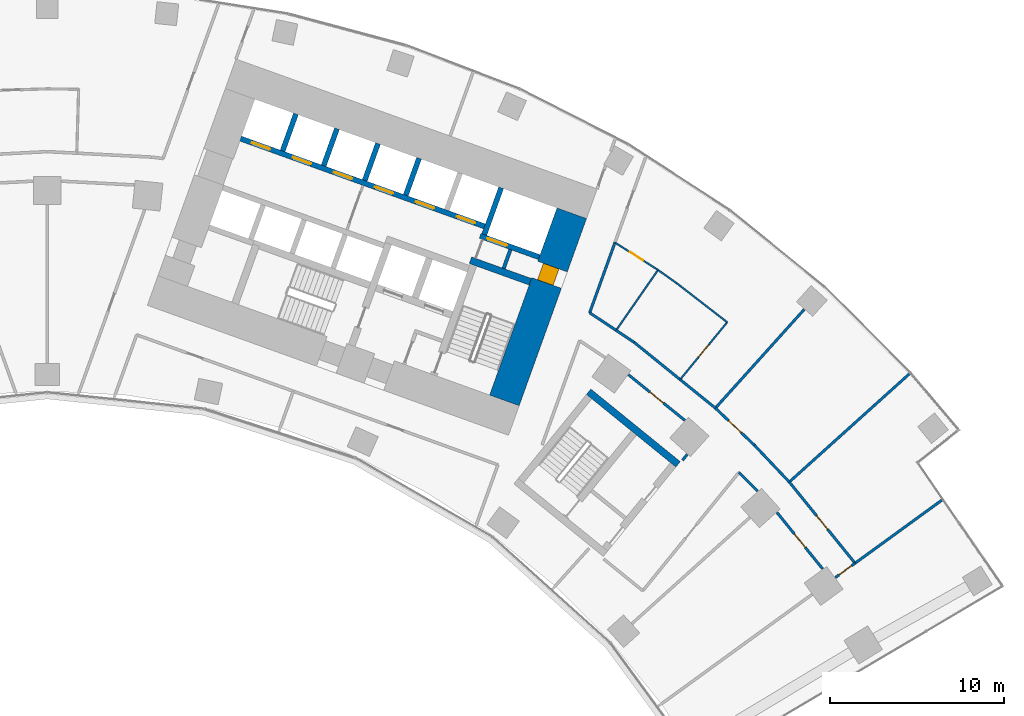
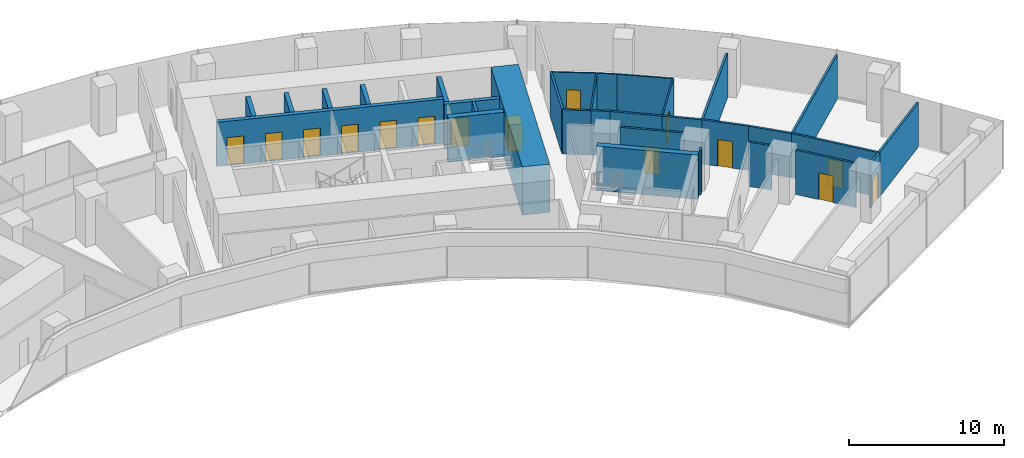
# One storey, part 18 of 21: 32 walls, 15 doors, 15 openings.
"""IFC4 building model written with IfcOpenShell, lengths in metres."""

from ifc_helpers import new_model, si_unit, direction, frame, frame_2d, origin, place, context, subcontext, project, spatial, rectangle, extrude, material, layer, layer_set, type_object, element, fill, save


model = new_model("IFC4")

# Units and contexts
model_context = context("Model", 3, precision=1e-05, world=origin(), true_north=direction((0.0, 1.0)))
body_context = subcontext(model_context, "Body", "Model", "MODEL_VIEW")
ifc_project = project(units=[si_unit("LENGTHUNIT", "METRE"), si_unit("AREAUNIT", "SQUARE_METRE"), si_unit("VOLUMEUNIT", "CUBIC_METRE"), si_unit("PLANEANGLEUNIT", "RADIAN"), si_unit("MASSUNIT", "GRAM", prefix="KILO")], contexts=[model_context])

# Site, building, storey
site_placement = place(None, origin())
site = spatial("IfcSite", under=ifc_project, at=site_placement, CompositionType="ELEMENT")
building_placement = place(site_placement, origin())
building = spatial("IfcBuilding", under=site, at=building_placement, Name="Stone Belt Terrace Tower", CompositionType="ELEMENT")
storey_placement = place(building_placement, frame((0.0, 0.0, 37.60009765625)))
storey = spatial("IfcBuildingStorey", under=building, at=storey_placement, Name="L08", CompositionType="ELEMENT", Elevation=37.60009765625)

# Wall, opening, door
ifc_material_1 = material(Name="Concrete B80", Category="concrete")
ifc_layer_1 = layer(ifc_material_1, 1.800048828125)
ifc_layer_set_1 = layer_set([ifc_layer_1], Name="Core wall 1800 B80")
wall_type_1 = type_object("IfcWallType", Name="Core wall 1800 B80", PredefinedType="SHEAR", material=ifc_layer_set_1)
wall_1_placement = place(storey_placement, frame((26.197509765625, 42.96728515625, 0.0), z_axis=(0.0, 0.0, 1.0), x_axis=(0.338625431531, 0.940921259788, 0.0)))
wall_1 = element("IfcWall", 1, at=wall_1_placement, inside=storey, type_object=wall_type_1, Name="Core B wall end_b L08", PredefinedType="SHEAR", context=body_context, shape_type="SweptSolid", body=[
    extrude(rectangle(XDim=11.400146484375, YDim=1.800048828125, at=frame_2d((5.7001953125, 0.0))), origin(), (0.0, 0.0, 1.0), 3.7998046875),
])
opening_1_placement = place(wall_1_placement, frame((7.150146484375, 0.0, 0.0)))
opening_1 = element("IfcOpeningElement", 2, at=opening_1_placement, cuts=wall_1, Name="Opening L08-C11", PredefinedType="OPENING", context=body_context, shape_type="SweptSolid", body=[
    extrude(rectangle(XDim=1.0, YDim=2.10009765625, at=frame_2d((0.5, 1.050048828125))), frame((0.0, 0.909912109375, 0.0), z_axis=(0.0, -1.0, 0.0), x_axis=(1.0, 0.0, 0.0)), (0.0, 0.0, 1.0), 1.820068359375),
])
ifc_material_2 = material(Name="Timber door leaf", Category="wood")
door_type_1 = type_object("IfcDoorType", Name="Core room door 1000", OperationType="SINGLE_SWING_LEFT", PredefinedType="DOOR", material=ifc_material_2)
door_1_placement = place(opening_1_placement, origin())
door_1 = element("IfcDoor", 3, at=door_1_placement, inside=storey, type_object=door_type_1, Name="Door to Telecommunications riser room core B", OperationType="SINGLE_SWING_LEFT", OverallHeight=2.10009765625, OverallWidth=1.0, PredefinedType="DOOR", context=body_context, shape_type="SweptSolid", body=[
    extrude(rectangle(XDim=1.0, YDim=2.10009765625, at=frame_2d((0.5, 1.050048828125))), frame((0.0, 0.55517578125, 0.0), z_axis=(0.0, -1.0, 0.0), x_axis=(1.0, 0.0, 0.0)), (0.0, 0.0, 1.0), 0.949951171875),
])
fill(opening_1, door_1)

ifc_layer_2 = layer(ifc_material_1, 0.300048828125)
ifc_layer_set_2 = layer_set([ifc_layer_2], Name="Lift shaft wall 300")
wall_type_2 = type_object("IfcWallType", Name="Lift shaft wall 300", PredefinedType="SHEAR", material=ifc_layer_set_2)
wall_2_placement = place(storey_placement, frame((28.195068359375, 51.17578125, 0.0), z_axis=(0.0, 0.0, 1.0), x_axis=(-0.940901243567, 0.338681044427, 0.0)))
wall_2 = element("IfcWall", 4, at=wall_2_placement, inside=storey, type_object=wall_type_2, Name="Core B wall", PredefinedType="SHEAR", context=body_context, shape_type="SweptSolid", body=[
    extrude(rectangle(XDim=3.599853515625, YDim=0.300048828125, at=frame_2d((1.7998046875, 0.0))), origin(), (0.0, 0.0, 1.0), 3.47998046875),
])
opening_2_placement = place(wall_2_placement, frame((1.969970703125, 0.0, 0.0)))
opening_2 = element("IfcOpeningElement", 5, at=opening_2_placement, cuts=wall_2, Name="Opening L08-LD18", PredefinedType="OPENING", context=body_context, shape_type="SweptSolid", body=[
    extrude(rectangle(XDim=1.199951171875, YDim=2.199951171875, at=frame_2d((0.60009765625, 1.10009765625))), frame((0.0, 0.159912109375, 0.0), z_axis=(0.0, -1.0, 0.0), x_axis=(1.0, 0.0, 0.0)), (0.0, 0.0, 1.0), 0.320068359375),
])
ifc_material_3 = material(Name="Stainless steel door leaf", Category="steel")
door_type_2 = type_object("IfcDoorType", Name="Landing door 1200", OperationType="SLIDING_TO_LEFT", PredefinedType="DOOR", material=ifc_material_3)
door_2_placement = place(opening_2_placement, origin())
door_2 = element("IfcDoor", 6, at=door_2_placement, inside=storey, type_object=door_type_2, Name="Landing door SV1 core B", OperationType="SLIDING_TO_LEFT", OverallHeight=2.199951171875, OverallWidth=1.199951171875, PredefinedType="DOOR", context=body_context, shape_type="SweptSolid", body=[
    extrude(rectangle(XDim=1.199951171875, YDim=2.199951171875, at=frame_2d((0.60009765625, 1.10009765625))), frame((0.0, 0.02490234375, 0.0), z_axis=(0.0, -1.0, 0.0), x_axis=(1.0, 0.0, 0.0)), (0.0, 0.0, 1.0), 0.050048828125),
])
fill(opening_2, door_2)

# Wall
wall_3_placement = place(storey_placement, frame((25.046875, 52.46826171875, 0.0), z_axis=(0.0, 0.0, 1.0), x_axis=(0.338549588058, 0.940948551423, 0.0)))
element("IfcWall", 7, at=wall_3_placement, inside=storey, type_object=wall_type_2, Name="Core B wall", PredefinedType="SHEAR", context=body_context, shape_type="SweptSolid", body=[
    extrude(rectangle(XDim=2.849853515625, YDim=0.300048828125, at=frame_2d((1.4248046875, 0.0))), origin(), (0.0, 0.0, 1.0), 3.47998046875),
])

# Wall, openings, doors
wall_4_placement = place(storey_placement, frame((25.05810546875, 52.9423828125, 0.0), z_axis=(0.0, 0.0, 1.0), x_axis=(-0.940918215764, 0.338633889685, 0.0)))
wall_4 = element("IfcWall", 8, at=wall_4_placement, inside=storey, type_object=wall_type_2, Name="Core B wall", PredefinedType="SHEAR", context=body_context, shape_type="SweptSolid", body=[
    extrude(rectangle(XDim=14.850341796875, YDim=0.300048828125, at=frame_2d((7.42529296875, 0.0))), origin(), (0.0, 0.0, 1.0), 3.47998046875),
])
opening_3_placement = place(wall_4_placement, frame((0.570068359375, 0.0, 0.0)))
opening_3 = element("IfcOpeningElement", 9, at=opening_3_placement, cuts=wall_4, Name="Opening L08-LD10", PredefinedType="OPENING", context=body_context, shape_type="SweptSolid", body=[
    extrude(rectangle(XDim=1.10009765625, YDim=2.199951171875, at=frame_2d((0.550048828125, 1.10009765625))), frame((0.0, 0.159912109375, 0.0), z_axis=(0.0, -1.0, 0.0), x_axis=(1.0, 0.0, 0.0)), (0.0, 0.0, 1.0), 0.320068359375),
])
opening_4_placement = place(wall_4_placement, frame((3.070068359375, 0.0, 0.0)))
opening_4 = element("IfcOpeningElement", 10, at=opening_4_placement, cuts=wall_4, Name="Opening L08-LD11", PredefinedType="OPENING", context=body_context, shape_type="SweptSolid", body=[
    extrude(rectangle(XDim=1.10009765625, YDim=2.199951171875, at=frame_2d((0.550048828125, 1.10009765625))), frame((0.0, 0.159912109375, 0.0), z_axis=(0.0, -1.0, 0.0), x_axis=(1.0, 0.0, 0.0)), (0.0, 0.0, 1.0), 0.320068359375),
])
opening_5_placement = place(wall_4_placement, frame((5.570068359375, 0.0, 0.0)))
opening_5 = element("IfcOpeningElement", 11, at=opening_5_placement, cuts=wall_4, Name="Opening L08-LD12", PredefinedType="OPENING", context=body_context, shape_type="SweptSolid", body=[
    extrude(rectangle(XDim=1.10009765625, YDim=2.199951171875, at=frame_2d((0.550048828125, 1.10009765625))), frame((0.0, 0.159912109375, 0.0), z_axis=(0.0, -1.0, 0.0), x_axis=(1.0, 0.0, 0.0)), (0.0, 0.0, 1.0), 0.320068359375),
])
opening_6_placement = place(wall_4_placement, frame((8.070068359375, 0.0, 0.0)))
opening_6 = element("IfcOpeningElement", 12, at=opening_6_placement, cuts=wall_4, Name="Opening L08-LD13", PredefinedType="OPENING", context=body_context, shape_type="SweptSolid", body=[
    extrude(rectangle(XDim=1.10009765625, YDim=2.199951171875, at=frame_2d((0.550048828125, 1.10009765625))), frame((0.0, 0.159912109375, 0.0), z_axis=(0.0, -1.0, 0.0), x_axis=(1.0, 0.0, 0.0)), (0.0, 0.0, 1.0), 0.320068359375),
])
opening_7_placement = place(wall_4_placement, frame((10.570068359375, 0.0, 0.0)))
opening_7 = element("IfcOpeningElement", 13, at=opening_7_placement, cuts=wall_4, Name="Opening L08-LD14", PredefinedType="OPENING", context=body_context, shape_type="SweptSolid", body=[
    extrude(rectangle(XDim=1.10009765625, YDim=2.199951171875, at=frame_2d((0.550048828125, 1.10009765625))), frame((0.0, 0.159912109375, 0.0), z_axis=(0.0, -1.0, 0.0), x_axis=(1.0, 0.0, 0.0)), (0.0, 0.0, 1.0), 0.320068359375),
])
opening_8_placement = place(wall_4_placement, frame((13.070068359375, 0.0, 0.0)))
opening_8 = element("IfcOpeningElement", 14, at=opening_8_placement, cuts=wall_4, Name="Opening L08-LD15", PredefinedType="OPENING", context=body_context, shape_type="SweptSolid", body=[
    extrude(rectangle(XDim=1.10009765625, YDim=2.199951171875, at=frame_2d((0.550048828125, 1.10009765625))), frame((0.0, 0.159912109375, 0.0), z_axis=(0.0, -1.0, 0.0), x_axis=(1.0, 0.0, 0.0)), (0.0, 0.0, 1.0), 0.320068359375),
])
door_type_3 = type_object("IfcDoorType", Name="Landing door 1100", OperationType="SLIDING_TO_LEFT", PredefinedType="DOOR", material=ifc_material_3)
door_3_placement = place(opening_3_placement, origin())
door_3 = element("IfcDoor", 15, at=door_3_placement, inside=storey, type_object=door_type_3, Name="Landing door LR1 core B", OperationType="SLIDING_TO_LEFT", OverallHeight=2.199951171875, OverallWidth=1.10009765625, PredefinedType="DOOR", context=body_context, shape_type="SweptSolid", body=[
    extrude(rectangle(XDim=1.10009765625, YDim=2.199951171875, at=frame_2d((0.550048828125, 1.10009765625))), frame((0.0, 0.02490234375, 0.0), z_axis=(0.0, -1.0, 0.0), x_axis=(1.0, 0.0, 0.0)), (0.0, 0.0, 1.0), 0.050048828125),
])
fill(opening_3, door_3)
door_4_placement = place(opening_4_placement, origin())
door_4 = element("IfcDoor", 16, at=door_4_placement, inside=storey, type_object=door_type_3, Name="Landing door LR2 core B", OperationType="SLIDING_TO_LEFT", OverallHeight=2.199951171875, OverallWidth=1.10009765625, PredefinedType="DOOR", context=body_context, shape_type="SweptSolid", body=[
    extrude(rectangle(XDim=1.10009765625, YDim=2.199951171875, at=frame_2d((0.550048828125, 1.10009765625))), frame((0.0, 0.02490234375, 0.0), z_axis=(0.0, -1.0, 0.0), x_axis=(1.0, 0.0, 0.0)), (0.0, 0.0, 1.0), 0.050048828125),
])
fill(opening_4, door_4)
door_5_placement = place(opening_5_placement, origin())
door_5 = element("IfcDoor", 17, at=door_5_placement, inside=storey, type_object=door_type_3, Name="Landing door LR3 core B", OperationType="SLIDING_TO_LEFT", OverallHeight=2.199951171875, OverallWidth=1.10009765625, PredefinedType="DOOR", context=body_context, shape_type="SweptSolid", body=[
    extrude(rectangle(XDim=1.10009765625, YDim=2.199951171875, at=frame_2d((0.550048828125, 1.10009765625))), frame((0.0, 0.02490234375, 0.0), z_axis=(0.0, -1.0, 0.0), x_axis=(1.0, 0.0, 0.0)), (0.0, 0.0, 1.0), 0.050048828125),
])
fill(opening_5, door_5)
door_6_placement = place(opening_6_placement, origin())
door_6 = element("IfcDoor", 18, at=door_6_placement, inside=storey, type_object=door_type_3, Name="Landing door LR4 core B", OperationType="SLIDING_TO_LEFT", OverallHeight=2.199951171875, OverallWidth=1.10009765625, PredefinedType="DOOR", context=body_context, shape_type="SweptSolid", body=[
    extrude(rectangle(XDim=1.10009765625, YDim=2.199951171875, at=frame_2d((0.550048828125, 1.10009765625))), frame((0.0, 0.02490234375, 0.0), z_axis=(0.0, -1.0, 0.0), x_axis=(1.0, 0.0, 0.0)), (0.0, 0.0, 1.0), 0.050048828125),
])
fill(opening_6, door_6)
door_7_placement = place(opening_7_placement, origin())
door_7 = element("IfcDoor", 19, at=door_7_placement, inside=storey, type_object=door_type_3, Name="Landing door LR5 core B", OperationType="SLIDING_TO_LEFT", OverallHeight=2.199951171875, OverallWidth=1.10009765625, PredefinedType="DOOR", context=body_context, shape_type="SweptSolid", body=[
    extrude(rectangle(XDim=1.10009765625, YDim=2.199951171875, at=frame_2d((0.550048828125, 1.10009765625))), frame((0.0, 0.02490234375, 0.0), z_axis=(0.0, -1.0, 0.0), x_axis=(1.0, 0.0, 0.0)), (0.0, 0.0, 1.0), 0.050048828125),
])
fill(opening_7, door_7)
door_8_placement = place(opening_8_placement, origin())
door_8 = element("IfcDoor", 20, at=door_8_placement, inside=storey, type_object=door_type_3, Name="Landing door LR6 core B", OperationType="SLIDING_TO_LEFT", OverallHeight=2.199951171875, OverallWidth=1.10009765625, PredefinedType="DOOR", context=body_context, shape_type="SweptSolid", body=[
    extrude(rectangle(XDim=1.10009765625, YDim=2.199951171875, at=frame_2d((0.550048828125, 1.10009765625))), frame((0.0, 0.02490234375, 0.0), z_axis=(0.0, -1.0, 0.0), x_axis=(1.0, 0.0, 0.0)), (0.0, 0.0, 1.0), 0.050048828125),
])
fill(opening_8, door_8)

# Walls
wall_5_placement = place(storey_placement, frame((20.54541015625, 54.72607421875, 0.0), z_axis=(0.0, 0.0, 1.0), x_axis=(0.338569601369, 0.940941350472, 0.0)))
element("IfcWall", 21, at=wall_5_placement, inside=storey, type_object=wall_type_2, Name="Core B wall", PredefinedType="SHEAR", context=body_context, shape_type="SweptSolid", body=[
    extrude(rectangle(XDim=2.249755859375, YDim=0.300048828125, at=frame_2d((1.125, 0.0))), origin(), (0.0, 0.0, 1.0), 3.47998046875),
])
wall_6_placement = place(storey_placement, frame((18.193115234375, 55.572509765625, 0.0), z_axis=(0.0, 0.0, 1.0), x_axis=(0.338535034312, 0.940953787677, 0.0)))
element("IfcWall", 22, at=wall_6_placement, inside=storey, type_object=wall_type_2, Name="Core B wall", PredefinedType="SHEAR", context=body_context, shape_type="SweptSolid", body=[
    extrude(rectangle(XDim=2.25, YDim=0.300048828125, at=frame_2d((1.125, 0.0))), origin(), (0.0, 0.0, 1.0), 3.47998046875),
])
wall_7_placement = place(storey_placement, frame((15.8408203125, 56.419189453125, 0.0), z_axis=(0.0, 0.0, 1.0), x_axis=(0.338569601369, 0.940941350472, 0.0)))
element("IfcWall", 23, at=wall_7_placement, inside=storey, type_object=wall_type_2, Name="Core B wall", PredefinedType="SHEAR", context=body_context, shape_type="SweptSolid", body=[
    extrude(rectangle(XDim=2.249755859375, YDim=0.300048828125, at=frame_2d((1.125, 0.0))), origin(), (0.0, 0.0, 1.0), 3.47998046875),
])
wall_8_placement = place(storey_placement, frame((13.48828125, 57.265625, 0.0), z_axis=(0.0, 0.0, 1.0), x_axis=(0.338631098537, 0.940919220286, 0.0)))
element("IfcWall", 24, at=wall_8_placement, inside=storey, type_object=wall_type_2, Name="Core B wall", PredefinedType="SHEAR", context=body_context, shape_type="SweptSolid", body=[
    extrude(rectangle(XDim=2.250244140625, YDim=0.300048828125, at=frame_2d((1.125, 0.0))), origin(), (0.0, 0.0, 1.0), 3.47998046875),
])

# Wall, opening, door
ifc_material_4 = material(Name="Gypsum board partition")
ifc_layer_3 = layer(ifc_material_4, 0.10009765625)
ifc_layer_set_3 = layer_set([ifc_layer_3], Name="PARTITION 100")
wall_type_3 = type_object("IfcWallType", Name="PARTITION 100", PredefinedType="PARTITIONING", material=ifc_layer_set_3)
wall_9_placement = place(storey_placement, frame((35.00390625, 50.443115234375, 0.0), z_axis=(0.0, 0.0, 1.0), x_axis=(-0.843871015594, 0.536546092186, 0.0)))
wall_9 = element("IfcWall", 25, at=wall_9_placement, inside=storey, type_object=wall_type_3, Name="L08/wall/i072", PredefinedType="PARTITIONING", context=body_context, shape_type="SweptSolid", body=[
    extrude(rectangle(XDim=2.92578125, YDim=0.10009765625, at=frame_2d((1.462890625, 0.0))), origin(), (0.0, 0.0, 1.0), 3.47998046875),
])
opening_9_placement = place(wall_9_placement, frame((1.012939453125, 0.0, 0.0)))
opening_9 = element("IfcOpeningElement", 26, at=opening_9_placement, cuts=wall_9, Name="Opening D-A1b-22", PredefinedType="OPENING", context=body_context, shape_type="SweptSolid", body=[
    extrude(rectangle(XDim=0.89990234375, YDim=2.10009765625, at=frame_2d((0.449951171875, 1.050048828125))), frame((0.0, 0.06005859375, 0.0), z_axis=(0.0, -1.0, 0.0), x_axis=(1.0, 0.0, 0.0)), (0.0, 0.0, 1.0), 0.1201171875),
])
door_type_4 = type_object("IfcDoorType", Name="OFFICE DOOR 900 X 2100", OperationType="NOTDEFINED", PredefinedType="DOOR", material=ifc_material_2)
door_9_placement = place(opening_9_placement, origin())
door_9 = element("IfcDoor", 27, at=door_9_placement, inside=storey, type_object=door_type_4, Name="L08/door/i22", OperationType="SINGLE_SWING_RIGHT", OverallHeight=2.10009765625, OverallWidth=0.89990234375, PredefinedType="DOOR", context=body_context, shape_type="SweptSolid", body=[
    extrude(rectangle(XDim=0.89990234375, YDim=2.10009765625, at=frame_2d((0.449951171875, 1.050048828125))), frame((0.0, 0.02490234375, 0.0), z_axis=(0.0, -1.0, 0.0), x_axis=(1.0, 0.0, 0.0)), (0.0, 0.0, 1.0), 0.050048828125),
])
fill(opening_9, door_9)

wall_10_placement = place(storey_placement, frame((36.27001953125, 44.162109375, 0.0), z_axis=(0.0, 0.0, 1.0), x_axis=(0.634694105606, 0.772763477598, 0.0)))
wall_10 = element("IfcWall", 28, at=wall_10_placement, inside=storey, type_object=wall_type_3, Name="L08/wall/i073", PredefinedType="PARTITIONING", context=body_context, shape_type="SweptSolid", body=[
    extrude(rectangle(XDim=4.2509765625, YDim=0.10009765625, at=frame_2d((2.12548828125, 0.0))), origin(), (0.0, 0.0, 1.0), 3.47998046875),
])
opening_10_placement = place(wall_10_placement, frame((1.675537109375, 0.0, 0.0)))
opening_10 = element("IfcOpeningElement", 29, at=opening_10_placement, cuts=wall_10, Name="Opening D-A1b-23", PredefinedType="OPENING", context=body_context, shape_type="SweptSolid", body=[
    extrude(rectangle(XDim=0.89990234375, YDim=2.10009765625, at=frame_2d((0.449951171875, 1.050048828125))), frame((0.0, 0.06005859375, 0.0), z_axis=(0.0, -1.0, 0.0), x_axis=(1.0, 0.0, 0.0)), (0.0, 0.0, 1.0), 0.1201171875),
])
door_10_placement = place(opening_10_placement, origin())
door_10 = element("IfcDoor", 30, at=door_10_placement, inside=storey, type_object=door_type_4, Name="L08/door/i23", OperationType="SINGLE_SWING_RIGHT", OverallHeight=2.10009765625, OverallWidth=0.89990234375, PredefinedType="DOOR", context=body_context, shape_type="SweptSolid", body=[
    extrude(rectangle(XDim=0.89990234375, YDim=2.10009765625, at=frame_2d((0.449951171875, 1.050048828125))), frame((0.0, 0.02490234375, 0.0), z_axis=(0.0, -1.0, 0.0), x_axis=(1.0, 0.0, 0.0)), (0.0, 0.0, 1.0), 0.050048828125),
])
fill(opening_10, door_10)

# Walls
wall_11_placement = place(storey_placement, frame((38.968017578125, 47.447021484375, 0.0), z_axis=(0.0, 0.0, 1.0), x_axis=(-0.791220068946, 0.61153152208, 0.0)))
element("IfcWall", 31, at=wall_11_placement, inside=storey, type_object=wall_type_3, Name="L08/wall/i074", PredefinedType="PARTITIONING", context=body_context, shape_type="SweptSolid", body=[
    extrude(rectangle(XDim=3.638671875, YDim=0.10009765625, at=frame_2d((1.8193359375, 0.0))), origin(), (0.0, 0.0, 1.0), 3.47998046875),
])
wall_12_placement = place(storey_placement, frame((36.089111328125, 49.672119140625, 0.0), z_axis=(0.0, 0.0, 1.0), x_axis=(-0.815205473907, 0.579171853003, 0.0)))
element("IfcWall", 32, at=wall_12_placement, inside=storey, type_object=wall_type_3, Name="L08/wall/i075", PredefinedType="PARTITIONING", context=body_context, shape_type="SweptSolid", body=[
    extrude(rectangle(XDim=1.331298828125, YDim=0.10009765625, at=frame_2d((0.66552734375, 0.0))), origin(), (0.0, 0.0, 1.0), 3.47998046875),
])
wall_13_placement = place(storey_placement, frame((35.00390625, 50.443115234375, 0.0), z_axis=(0.0, 0.0, 1.0), x_axis=(-0.570116673129, -0.821563740084, 0.0)))
element("IfcWall", 33, at=wall_13_placement, inside=storey, type_object=wall_type_3, Name="L08/wall/i077", PredefinedType="PARTITIONING", context=body_context, shape_type="SweptSolid", body=[
    extrude(rectangle(XDim=4.212890625, YDim=0.10009765625, at=frame_2d((2.1064453125, 0.0))), origin(), (0.0, 0.0, 1.0), 3.47998046875),
])
ifc_layer_4 = layer(ifc_material_4, 0.14990234375)
ifc_layer_set_4 = layer_set([ifc_layer_4], Name="PARTITION 150 EI 60")
wall_type_4 = type_object("IfcWallType", Name="PARTITION 150 EI 60", PredefinedType="PARTITIONING", material=ifc_layer_set_4)
wall_14_placement = place(storey_placement, frame((32.537109375, 52.01904296875, 0.0), z_axis=(0.0, 0.0, 1.0), x_axis=(-0.338671110555, -0.940904819243, 0.0)))
element("IfcWall", 34, at=wall_14_placement, inside=storey, type_object=wall_type_4, Name="L08/wall/i026", PredefinedType="PARTITIONING", context=body_context, shape_type="SweptSolid", body=[
    extrude(rectangle(XDim=4.290771484375, YDim=0.14990234375, at=frame_2d((2.1455078125, 0.0))), origin(), (0.0, 0.0, 1.0), 3.47998046875),
])

# Wall, opening, door
wall_15_placement = place(storey_placement, frame((46.301025390625, 33.638916015625, 0.0), z_axis=(0.0, 0.0, 1.0), x_axis=(-0.809353623303, -0.587321643094, 0.0)))
wall_15 = element("IfcWall", 35, at=wall_15_placement, inside=storey, type_object=wall_type_4, Name="L08/wall/i054", PredefinedType="PARTITIONING", context=body_context, shape_type="SweptSolid", body=[
    extrude(rectangle(XDim=1.40087890625, YDim=0.14990234375, at=frame_2d((0.700439453125, 0.0))), origin(), (0.0, 0.0, 1.0), 3.47998046875),
])
opening_11_placement = place(wall_15_placement, frame((0.25048828125, 0.0, 0.0)))
opening_11 = element("IfcOpeningElement", 36, at=opening_11_placement, cuts=wall_15, Name="Opening D-A1b-17", PredefinedType="OPENING", context=body_context, shape_type="SweptSolid", body=[
    extrude(rectangle(XDim=0.89990234375, YDim=2.10009765625, at=frame_2d((0.449951171875, 1.050048828125))), frame((0.0, 0.0849609375, 0.0), z_axis=(0.0, -1.0, 0.0), x_axis=(1.0, 0.0, 0.0)), (0.0, 0.0, 1.0), 0.169921875),
])
ifc_material_5 = material(Name="Timber fire door leaf", Category="wood")
door_type_5 = type_object("IfcDoorType", Name="TENANCY ENTRANCE DOOR 900 X 2100", OperationType="NOTDEFINED", PredefinedType="DOOR", material=ifc_material_5)
door_11_placement = place(opening_11_placement, origin())
door_11 = element("IfcDoor", 37, at=door_11_placement, inside=storey, type_object=door_type_5, Name="L08/door/i17", OperationType="SINGLE_SWING_RIGHT", OverallHeight=2.10009765625, OverallWidth=0.89990234375, PredefinedType="DOOR", context=body_context, shape_type="SweptSolid", body=[
    extrude(rectangle(XDim=0.89990234375, YDim=2.10009765625, at=frame_2d((0.449951171875, 1.050048828125))), frame((0.0, 0.02490234375, 0.0), z_axis=(0.0, -1.0, 0.0), x_axis=(1.0, 0.0, 0.0)), (0.0, 0.0, 1.0), 0.050048828125),
])
fill(opening_11, door_11)

# Wall
wall_16_placement = place(storey_placement, frame((46.291015625, 33.632080078125, 0.0), z_axis=(0.0, 0.0, 1.0), x_axis=(0.809013729568, 0.587789745887, 0.0)))
element("IfcWall", 38, at=wall_16_placement, inside=storey, type_object=wall_type_4, Name="L08/wall/i056", PredefinedType="PARTITIONING", context=body_context, shape_type="SweptSolid", body=[
    extrude(rectangle(XDim=6.157958984375, YDim=0.14990234375, at=frame_2d((3.0791015625, 0.0))), origin(), (0.0, 0.0, 1.0), 3.47998046875),
])

# Wall, opening, door
wall_17_placement = place(storey_placement, frame((36.540771484375, 41.8232421875, 0.0), z_axis=(0.0, 0.0, 1.0), x_axis=(-0.777128540701, 0.629341903283, 0.0)))
wall_17 = element("IfcWall", 39, at=wall_17_placement, inside=storey, type_object=wall_type_4, Name="L08/wall/i057", PredefinedType="PARTITIONING", context=body_context, shape_type="SweptSolid", body=[
    extrude(rectangle(XDim=4.15478515625, YDim=0.14990234375, at=frame_2d((2.077392578125, 0.0))), origin(), (0.0, 0.0, 1.0), 3.47998046875),
])
opening_12_placement = place(wall_17_placement, frame((1.577392578125, 0.0, 0.0)))
opening_12 = element("IfcOpeningElement", 40, at=opening_12_placement, cuts=wall_17, Name="Opening D-A1b-18", PredefinedType="OPENING", context=body_context, shape_type="SweptSolid", body=[
    extrude(rectangle(XDim=1.0, YDim=2.10009765625, at=frame_2d((0.5, 1.050048828125))), frame((0.0, 0.0849609375, 0.0), z_axis=(0.0, -1.0, 0.0), x_axis=(1.0, 0.0, 0.0)), (0.0, 0.0, 1.0), 0.169921875),
])
door_type_6 = type_object("IfcDoorType", Name="TENANCY ENTRANCE DOOR 1000 X 2100", OperationType="NOTDEFINED", PredefinedType="DOOR", material=ifc_material_5)
door_12_placement = place(opening_12_placement, origin())
door_12 = element("IfcDoor", 41, at=door_12_placement, inside=storey, type_object=door_type_6, Name="L08/door/i18", OperationType="SINGLE_SWING_RIGHT", OverallHeight=2.10009765625, OverallWidth=1.0, PredefinedType="DOOR", context=body_context, shape_type="SweptSolid", body=[
    extrude(rectangle(XDim=1.0, YDim=2.10009765625, at=frame_2d((0.5, 1.050048828125))), frame((0.0, 0.02490234375, 0.0), z_axis=(0.0, -1.0, 0.0), x_axis=(1.0, 0.0, 0.0)), (0.0, 0.0, 1.0), 0.050048828125),
])
fill(opening_12, door_12)

# Walls
wall_18_placement = place(storey_placement, frame((36.264892578125, 44.166015625, 0.0), z_axis=(0.0, 0.0, 1.0), x_axis=(0.777255775806, -0.629184757425, 0.0)))
element("IfcWall", 42, at=wall_18_placement, inside=storey, type_object=wall_type_4, Name="L08/wall/i059", PredefinedType="PARTITIONING", context=body_context, shape_type="SweptSolid", body=[
    extrude(rectangle(XDim=2.606689453125, YDim=0.14990234375, at=frame_2d((1.30322265625, 0.0))), origin(), (0.0, 0.0, 1.0), 3.47998046875),
])
wall_19_placement = place(storey_placement, frame((31.0859375, 47.988037109375, 0.0), z_axis=(0.0, 0.0, 1.0), x_axis=(0.833303417855, -0.552815895023, 0.0)))
element("IfcWall", 43, at=wall_19_placement, inside=storey, type_object=wall_type_4, Name="L08/wall/i060", PredefinedType="PARTITIONING", context=body_context, shape_type="SweptSolid", body=[
    extrude(rectangle(XDim=1.8251953125, YDim=0.14990234375, at=frame_2d((0.91259765625, 0.0))), origin(), (0.0, 0.0, 1.0), 3.47998046875),
])
wall_20_placement = place(storey_placement, frame((32.596923828125, 46.985107421875, 0.0), z_axis=(0.0, 0.0, 1.0), x_axis=(0.833343346871, -0.552755702119, 0.0)))
element("IfcWall", 44, at=wall_20_placement, inside=storey, type_object=wall_type_4, Name="L08/wall/i061", PredefinedType="PARTITIONING", context=body_context, shape_type="SweptSolid", body=[
    extrude(rectangle(XDim=1.246826171875, YDim=0.14990234375, at=frame_2d((0.62353515625, 0.0))), origin(), (0.0, 0.0, 1.0), 3.47998046875),
])
wall_21_placement = place(storey_placement, frame((33.635986328125, 46.2958984375, 0.0), z_axis=(0.0, 0.0, 1.0), x_axis=(0.777003753109, -0.629495963176, 0.0)))
element("IfcWall", 45, at=wall_21_placement, inside=storey, type_object=wall_type_4, Name="L08/wall/i062", PredefinedType="PARTITIONING", context=body_context, shape_type="SweptSolid", body=[
    extrude(rectangle(XDim=3.396240234375, YDim=0.14990234375, at=frame_2d((1.6982421875, 0.0))), origin(), (0.0, 0.0, 1.0), 3.47998046875),
])

# Wall, opening, door
wall_22_placement = place(storey_placement, frame((38.291015625, 42.52587890625, 0.0), z_axis=(0.0, 0.0, 1.0), x_axis=(0.724835843729, -0.688921620829, 0.0)))
wall_22 = element("IfcWall", 46, at=wall_22_placement, inside=storey, type_object=wall_type_4, Name="L08/wall/i063", PredefinedType="PARTITIONING", context=body_context, shape_type="SweptSolid", body=[
    extrude(rectangle(XDim=3.093017578125, YDim=0.14990234375, at=frame_2d((1.54638671875, 0.0))), origin(), (0.0, 0.0, 1.0), 3.47998046875),
])
opening_13_placement = place(wall_22_placement, frame((1.046630859375, 0.0, 0.0)))
opening_13 = element("IfcOpeningElement", 47, at=opening_13_placement, cuts=wall_22, Name="Opening D-A1b-24", PredefinedType="OPENING", context=body_context, shape_type="SweptSolid", body=[
    extrude(rectangle(XDim=1.0, YDim=2.10009765625, at=frame_2d((0.5, 1.050048828125))), frame((0.0, 0.0849609375, 0.0), z_axis=(0.0, -1.0, 0.0), x_axis=(1.0, 0.0, 0.0)), (0.0, 0.0, 1.0), 0.169921875),
])
door_13_placement = place(opening_13_placement, origin())
door_13 = element("IfcDoor", 48, at=door_13_placement, inside=storey, type_object=door_type_6, Name="L08/door/i24", OperationType="SINGLE_SWING_RIGHT", OverallHeight=2.10009765625, OverallWidth=1.0, PredefinedType="DOOR", context=body_context, shape_type="SweptSolid", body=[
    extrude(rectangle(XDim=1.0, YDim=2.10009765625, at=frame_2d((0.5, 1.050048828125))), frame((0.0, 0.02490234375, 0.0), z_axis=(0.0, -1.0, 0.0), x_axis=(1.0, 0.0, 0.0)), (0.0, 0.0, 1.0), 0.050048828125),
])
fill(opening_13, door_13)

# Wall
wall_23_placement = place(storey_placement, frame((40.71240234375, 37.7744140625, 0.0), z_axis=(0.0, 0.0, 1.0), x_axis=(-0.707026065842, 0.707187487318, 0.0)))
element("IfcWall", 49, at=wall_23_placement, inside=storey, type_object=wall_type_4, Name="L08/wall/i064", PredefinedType="PARTITIONING", context=body_context, shape_type="SweptSolid", body=[
    extrude(rectangle(XDim=1.512451171875, YDim=0.14990234375, at=frame_2d((0.75634765625, 0.0))), origin(), (0.0, 0.0, 1.0), 3.47998046875),
])

# Wall, opening, door
wall_24_placement = place(storey_placement, frame((44.43798828125, 33.31201171875, 0.0), z_axis=(0.0, 0.0, 1.0), x_axis=(-0.629213442028, 0.777232554884, 0.0)))
wall_24 = element("IfcWall", 50, at=wall_24_placement, inside=storey, type_object=wall_type_4, Name="L08/wall/i065", PredefinedType="PARTITIONING", context=body_context, shape_type="SweptSolid", body=[
    extrude(rectangle(XDim=4.15478515625, YDim=0.14990234375, at=frame_2d((2.077392578125, 0.0))), origin(), (0.0, 0.0, 1.0), 3.47998046875),
])
opening_14_placement = place(wall_24_placement, frame((1.577392578125, 0.0, 0.0)))
opening_14 = element("IfcOpeningElement", 51, at=opening_14_placement, cuts=wall_24, Name="Opening D-A1b-20", PredefinedType="OPENING", context=body_context, shape_type="SweptSolid", body=[
    extrude(rectangle(XDim=1.0, YDim=2.10009765625, at=frame_2d((0.5, 1.050048828125))), frame((0.0, 0.0849609375, 0.0), z_axis=(0.0, -1.0, 0.0), x_axis=(1.0, 0.0, 0.0)), (0.0, 0.0, 1.0), 0.169921875),
])
door_14_placement = place(opening_14_placement, origin())
door_14 = element("IfcDoor", 52, at=door_14_placement, inside=storey, type_object=door_type_6, Name="L08/door/i20", OperationType="SINGLE_SWING_RIGHT", OverallHeight=2.10009765625, OverallWidth=1.0, PredefinedType="DOOR", context=body_context, shape_type="SweptSolid", body=[
    extrude(rectangle(XDim=1.0, YDim=2.10009765625, at=frame_2d((0.5, 1.050048828125))), frame((0.0, 0.02490234375, 0.0), z_axis=(0.0, -1.0, 0.0), x_axis=(1.0, 0.0, 0.0)), (0.0, 0.0, 1.0), 0.050048828125),
])
fill(opening_14, door_14)

# Wall
wall_25_placement = place(storey_placement, frame((40.532958984375, 40.39501953125, 0.0), z_axis=(0.0, 0.0, 1.0), x_axis=(0.687681554755, -0.726012451167, 0.0)))
element("IfcWall", 53, at=wall_25_placement, inside=storey, type_object=wall_type_4, Name="L08/wall/i066", PredefinedType="PARTITIONING", context=body_context, shape_type="SweptSolid", body=[
    extrude(rectangle(XDim=2.89794921875, YDim=0.14990234375, at=frame_2d((1.448974609375, 0.0))), origin(), (0.0, 0.0, 1.0), 3.47998046875),
])

# Wall, opening, door
wall_26_placement = place(storey_placement, frame((42.527099609375, 38.2900390625, 0.0), z_axis=(0.0, 0.0, 1.0), x_axis=(0.629322532513, -0.77714422733, 0.0)))
wall_26 = element("IfcWall", 54, at=wall_26_placement, inside=storey, type_object=wall_type_4, Name="L08/wall/i067", PredefinedType="PARTITIONING", context=body_context, shape_type="SweptSolid", body=[
    extrude(rectangle(XDim=5.98876953125, YDim=0.14990234375, at=frame_2d((2.994384765625, 0.0))), origin(), (0.0, 0.0, 1.0), 3.47998046875),
])
opening_15_placement = place(wall_26_placement, frame((2.494384765625, 0.0, 0.0)))
opening_15 = element("IfcOpeningElement", 55, at=opening_15_placement, cuts=wall_26, Name="Opening D-A1b-25", PredefinedType="OPENING", context=body_context, shape_type="SweptSolid", body=[
    extrude(rectangle(XDim=1.0, YDim=2.10009765625, at=frame_2d((0.5, 1.050048828125))), frame((0.0, 0.0849609375, 0.0), z_axis=(0.0, -1.0, 0.0), x_axis=(1.0, 0.0, 0.0)), (0.0, 0.0, 1.0), 0.169921875),
])
door_15_placement = place(opening_15_placement, origin())
door_15 = element("IfcDoor", 56, at=door_15_placement, inside=storey, type_object=door_type_6, Name="L08/door/i25", OperationType="SINGLE_SWING_RIGHT", OverallHeight=2.10009765625, OverallWidth=1.0, PredefinedType="DOOR", context=body_context, shape_type="SweptSolid", body=[
    extrude(rectangle(XDim=1.0, YDim=2.10009765625, at=frame_2d((0.5, 1.050048828125))), frame((0.0, 0.02490234375, 0.0), z_axis=(0.0, -1.0, 0.0), x_axis=(1.0, 0.0, 0.0)), (0.0, 0.0, 1.0), 0.050048828125),
])
fill(opening_15, door_15)

# Walls
wall_27_placement = place(storey_placement, frame((36.406005859375, 39.537109375, 0.0), z_axis=(0.0, 0.0, 1.0), x_axis=(0.630378027046, 0.776288311787, 0.0)))
element("IfcWall", 57, at=wall_27_placement, inside=storey, type_object=wall_type_4, Name="L08/wall/i068", PredefinedType="PARTITIONING", context=body_context, shape_type="SweptSolid", body=[
    extrude(rectangle(XDim=0.428466796875, YDim=0.14990234375, at=frame_2d((0.21435546875, 0.0))), origin(), (0.0, 0.0, 1.0), 3.47998046875),
])
wall_28_placement = place(storey_placement, frame((43.382080078125, 48.18115234375, 0.0), z_axis=(0.0, 0.0, 1.0), x_axis=(-0.669060448127, -0.743207990237, 0.0)))
element("IfcWall", 58, at=wall_28_placement, inside=storey, type_object=wall_type_4, Name="L08/wall/i076", PredefinedType="PARTITIONING", context=body_context, shape_type="SweptSolid", body=[
    extrude(rectangle(XDim=7.609375, YDim=0.14990234375, at=frame_2d((3.8046875, 0.0))), origin(), (0.0, 0.0, 1.0), 3.47998046875),
])
wall_29_placement = place(storey_placement, frame((49.418212890625, 44.496826171875, 0.0), z_axis=(0.0, 0.0, 1.0), x_axis=(-0.743148838472, -0.66912614945, 0.0)))
element("IfcWall", 59, at=wall_29_placement, inside=storey, type_object=wall_type_4, Name="L08/wall/i078", PredefinedType="PARTITIONING", context=body_context, shape_type="SweptSolid", body=[
    extrude(rectangle(XDim=9.2744140625, YDim=0.14990234375, at=frame_2d((4.63720703125, 0.0))), origin(), (0.0, 0.0, 1.0), 3.47998046875),
])
ifc_material_6 = material(Name="Concrete masonry block", Category="masonry")
ifc_layer_5 = layer(ifc_material_6, 0.199951171875)
ifc_layer_set_5 = layer_set([ifc_layer_5], Name="Rated lobby wall 200")
wall_type_5 = type_object("IfcWallType", Name="Rated lobby wall 200", PredefinedType="PARTITIONING", material=ifc_layer_set_5)
wall_30_placement = place(storey_placement, frame((26.1552734375, 50.5283203125, 0.0), z_axis=(0.0, 0.0, 1.0), x_axis=(0.338621735342, 0.94092258999, 0.0)))
element("IfcWall", 60, at=wall_30_placement, inside=storey, type_object=wall_type_5, Name="Core B wall", PredefinedType="PARTITIONING", context=body_context, shape_type="SweptSolid", body=[
    extrude(rectangle(XDim=1.14990234375, YDim=0.199951171875, at=frame_2d((0.574951171875, 0.0))), origin(), (0.0, 0.0, 1.0), 3.47998046875),
])
ifc_layer_6 = layer(ifc_material_1, 0.39990234375)
ifc_layer_set_6 = layer_set([ifc_layer_6], Name="Stair enclosure wall 400")
wall_type_6 = type_object("IfcWallType", Name="Stair enclosure wall 400", PredefinedType="SHEAR", material=ifc_layer_set_6)
wall_31_placement = place(storey_placement, frame((27.687255859375, 49.764404296875, 0.0), z_axis=(0.0, 0.0, 1.0), x_axis=(-0.940918954884, 0.338631835981, 0.0)))
element("IfcWall", 61, at=wall_31_placement, inside=storey, type_object=wall_type_6, Name="Core B wall", PredefinedType="SHEAR", context=body_context, shape_type="SweptSolid", body=[
    extrude(rectangle(XDim=3.650146484375, YDim=0.39990234375, at=frame_2d((1.8251953125, 0.0))), origin(), (0.0, 0.0, 1.0), 3.47998046875),
])
wall_32_placement = place(storey_placement, frame((31.02783203125, 43.46337890625, 0.0), z_axis=(0.0, 0.0, 1.0), x_axis=(0.776413760801, -0.630223509589, 0.0)))
element("IfcWall", 62, at=wall_32_placement, inside=storey, type_object=wall_type_6, Name="Exit stair ST3B wall", PredefinedType="SHEAR", context=body_context, shape_type="SweptSolid", body=[
    extrude(rectangle(XDim=6.599853515625, YDim=0.39990234375, at=frame_2d((3.2998046875, 0.0))), origin(), (0.0, 0.0, 1.0), 3.47998046875),
])

save(model, "model.ifc")
